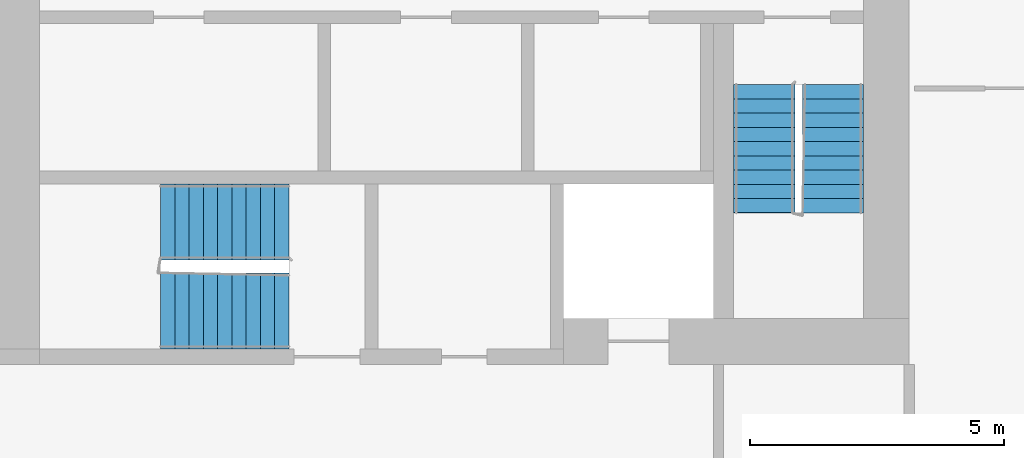
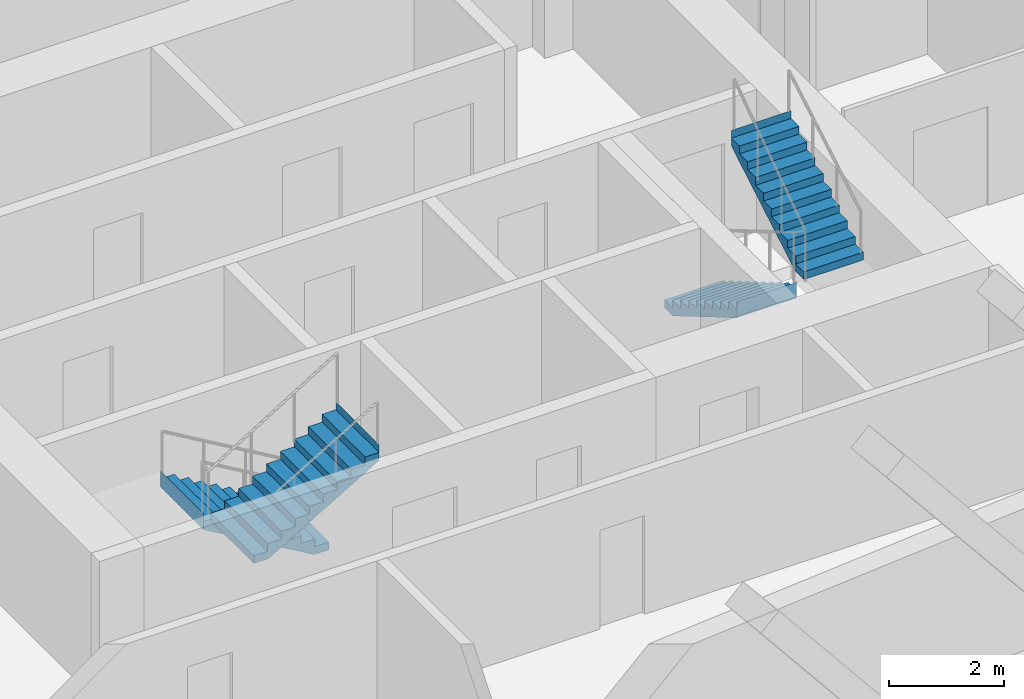
# One storey, part 8 of 12: 4 stair flights, 2 elements without a shape of their own.
"""IFC4 building model written with IfcOpenShell, lengths in metres."""

from ifc_helpers import new_model, si_unit, direction, frame, origin, place, context, subcontext, project, spatial, faceted_brep, material, type_object, element, aggregate, save


model = new_model("IFC4")

# Units and contexts
model_context = context("Model", 3, precision=1e-05, world=origin(), true_north=direction((0.0, 1.0)))
body_context = subcontext(model_context, "Body", "Model", "MODEL_VIEW")
ifc_project = project(units=[si_unit("LENGTHUNIT", "METRE"), si_unit("AREAUNIT", "SQUARE_METRE"), si_unit("VOLUMEUNIT", "CUBIC_METRE"), si_unit("PLANEANGLEUNIT", "RADIAN"), si_unit("MASSUNIT", "GRAM", prefix="KILO")], contexts=[model_context])

# Site, building, storey
site_placement = place(None, origin())
site = spatial("IfcSite", under=ifc_project, at=site_placement, CompositionType="ELEMENT")
building_placement = place(site_placement, origin())
building = spatial("IfcBuilding", under=site, at=building_placement, Name="Kajstack Hotel Tower", CompositionType="ELEMENT")
storey_placement = place(building_placement, frame((0.0, 0.0, 288.300048828125)))
storey = spatial("IfcBuildingStorey", under=building, at=storey_placement, Name="L72", CompositionType="ELEMENT", Elevation=288.300048828125)

# Stair, stair flights
ifc_material = material(Name="Concrete C40/50", Category="concrete")
stair_type_1 = type_object("IfcStairType", Name="Exit stair 1200", PredefinedType="HALF_TURN_STAIR", material=ifc_material)
stair_1_placement = place(storey_placement, origin())
stair_1 = element("IfcStair", 1, at=stair_1_placement, inside=storey, type_object=stair_type_1, Name="L72 stair W2", PredefinedType="HALF_TURN_STAIR")
stair_flight_type_1 = type_object("IfcStairFlightType", Name="Exit stair flight 1200", PredefinedType="STRAIGHT", material=ifc_material)
stair_flight_1_placement = place(storey_placement, frame((-16.35009765625, -10.0, 0.0), z_axis=(0.0, 0.0, 1.0), x_axis=(0.0, -1.0, 0.0)))
stair_flight_1 = element("IfcStairFlight", 2, at=stair_flight_1_placement, type_object=stair_flight_type_1, Name="W2 flight 1", NumberOfRisers=10, NumberOfTreads=9, PredefinedType="STRAIGHT", RiserHeight=0.165, TreadLength=0.28, context=body_context, shape_type="Brep", body=[
    faceted_brep([(0.295654296875, -0.60009765625, 0.0), (2.5205078125, -0.60009765625, 1.31103515625), (2.5205078125, -0.60009765625, 1.64990234375), (2.52001953125, -0.60009765625, 1.64990234375), (2.52001953125, -0.60009765625, 1.485107421875), (2.239990234375, -0.60009765625, 1.485107421875), (2.239990234375, -0.60009765625, 1.320068359375), (1.9599609375, -0.60009765625, 1.320068359375), (1.9599609375, -0.60009765625, 1.155029296875), (1.679931640625, -0.60009765625, 1.155029296875), (1.679931640625, -0.60009765625, 0.989990234375), (1.39990234375, -0.60009765625, 0.989990234375), (1.39990234375, -0.60009765625, 0.824951171875), (1.1201171875, -0.60009765625, 0.824951171875), (1.1201171875, -0.60009765625, 0.659912109375), (0.840087890625, -0.60009765625, 0.659912109375), (0.840087890625, -0.60009765625, 0.4951171875), (0.56005859375, -0.60009765625, 0.4951171875), (0.56005859375, -0.60009765625, 0.330078125), (0.280029296875, -0.60009765625, 0.330078125), (0.280029296875, -0.60009765625, 0.1650390625), (-0.00048828125, -0.60009765625, 0.1650390625), (-0.00048828125, -0.60009765625, 0.0), (-0.00048828125, 0.60009765625, 0.0), (-0.00048828125, 0.60009765625, 0.1650390625), (0.280029296875, 0.60009765625, 0.1650390625), (0.280029296875, 0.60009765625, 0.330078125), (0.56005859375, 0.60009765625, 0.330078125), (0.56005859375, 0.60009765625, 0.4951171875), (0.840087890625, 0.60009765625, 0.4951171875), (0.840087890625, 0.60009765625, 0.659912109375), (1.1201171875, 0.60009765625, 0.659912109375), (1.1201171875, 0.60009765625, 0.824951171875), (1.39990234375, 0.60009765625, 0.824951171875), (1.39990234375, 0.60009765625, 0.989990234375), (1.679931640625, 0.60009765625, 0.989990234375), (1.679931640625, 0.60009765625, 1.155029296875), (1.9599609375, 0.60009765625, 1.155029296875), (1.9599609375, 0.60009765625, 1.320068359375), (2.239990234375, 0.60009765625, 1.320068359375), (2.239990234375, 0.60009765625, 1.485107421875), (2.52001953125, 0.60009765625, 1.485107421875), (2.52001953125, 0.60009765625, 1.64990234375), (2.5205078125, 0.60009765625, 1.64990234375), (2.5205078125, 0.60009765625, 1.31103515625), (0.295654296875, 0.60009765625, 0.0), (-0.00048828125, -0.300048828125, 0.1650390625), (-0.00048828125, 0.0, 0.1650390625), (-0.00048828125, 0.300048828125, 0.1650390625), (-0.00048828125, 0.300048828125, 0.0), (-0.00048828125, 0.0, 0.0), (-0.00048828125, -0.300048828125, 0.0), (0.280029296875, -0.300048828125, 0.1650390625), (0.280029296875, 0.0, 0.1650390625), (0.280029296875, 0.300048828125, 0.1650390625), (0.280029296875, -0.300048828125, 0.330078125), (0.280029296875, 0.0, 0.330078125), (0.280029296875, 0.300048828125, 0.330078125), (0.56005859375, -0.300048828125, 0.330078125), (0.56005859375, 0.0, 0.330078125), (0.56005859375, 0.300048828125, 0.330078125), (0.56005859375, -0.300048828125, 0.4951171875), (0.56005859375, 0.0, 0.4951171875), (0.56005859375, 0.300048828125, 0.4951171875), (0.840087890625, -0.300048828125, 0.4951171875), (0.840087890625, 0.0, 0.4951171875), (0.840087890625, 0.300048828125, 0.4951171875), (0.840087890625, -0.300048828125, 0.659912109375), (0.840087890625, 0.0, 0.659912109375), (0.840087890625, 0.300048828125, 0.659912109375), (1.1201171875, -0.300048828125, 0.659912109375), (1.1201171875, 0.0, 0.659912109375), (1.1201171875, 0.300048828125, 0.659912109375), (1.1201171875, -0.300048828125, 0.824951171875), (1.1201171875, 0.0, 0.824951171875), (1.1201171875, 0.300048828125, 0.824951171875), (1.39990234375, -0.300048828125, 0.824951171875), (1.39990234375, 0.0, 0.824951171875), (1.39990234375, 0.300048828125, 0.824951171875), (1.39990234375, -0.300048828125, 0.989990234375), (1.39990234375, 0.0, 0.989990234375), (1.39990234375, 0.300048828125, 0.989990234375), (1.679931640625, -0.300048828125, 0.989990234375), (1.679931640625, 0.0, 0.989990234375), (1.679931640625, 0.300048828125, 0.989990234375), (1.679931640625, -0.300048828125, 1.155029296875), (1.679931640625, 0.0, 1.155029296875), (1.679931640625, 0.300048828125, 1.155029296875), (1.9599609375, -0.300048828125, 1.155029296875), (1.9599609375, 0.0, 1.155029296875), (1.9599609375, 0.300048828125, 1.155029296875), (1.9599609375, -0.300048828125, 1.320068359375), (1.9599609375, 0.0, 1.320068359375), (1.9599609375, 0.300048828125, 1.320068359375), (2.239990234375, -0.300048828125, 1.320068359375), (2.239990234375, 0.0, 1.320068359375), (2.239990234375, 0.300048828125, 1.320068359375), (2.239990234375, -0.300048828125, 1.485107421875), (2.239990234375, 0.0, 1.485107421875), (2.239990234375, 0.300048828125, 1.485107421875), (2.52001953125, -0.300048828125, 1.485107421875), (2.52001953125, 0.0, 1.485107421875), (2.52001953125, 0.300048828125, 1.485107421875), (2.52001953125, -0.300048828125, 1.64990234375), (2.52001953125, 0.0, 1.64990234375), (2.52001953125, 0.300048828125, 1.64990234375), (2.5205078125, -0.300048828125, 1.64990234375), (2.5205078125, 0.0, 1.64990234375), (2.5205078125, 0.300048828125, 1.64990234375), (2.5205078125, -0.300048828125, 1.31103515625), (2.5205078125, 0.0, 1.31103515625), (2.5205078125, 0.300048828125, 1.31103515625), (0.295654296875, -0.300048828125, 0.0), (0.295654296875, 0.0, 0.0), (0.295654296875, 0.300048828125, 0.0)], [[[0, 1, 2, 3, 4, 5, 6, 7, 8, 9, 10, 11, 12, 13, 14, 15, 16, 17, 18, 19, 20, 21, 22]], [[23, 24, 25, 26, 27, 28, 29, 30, 31, 32, 33, 34, 35, 36, 37, 38, 39, 40, 41, 42, 43, 44, 45]], [[21, 46, 47, 48, 24, 23, 49, 50, 51, 22]], [[20, 52, 53, 54, 25, 24, 48, 47, 46, 21]], [[19, 55, 56, 57, 26, 25, 54, 53, 52, 20]], [[18, 58, 59, 60, 27, 26, 57, 56, 55, 19]], [[17, 61, 62, 63, 28, 27, 60, 59, 58, 18]], [[16, 64, 65, 66, 29, 28, 63, 62, 61, 17]], [[15, 67, 68, 69, 30, 29, 66, 65, 64, 16]], [[14, 70, 71, 72, 31, 30, 69, 68, 67, 15]], [[13, 73, 74, 75, 32, 31, 72, 71, 70, 14]], [[12, 76, 77, 78, 33, 32, 75, 74, 73, 13]], [[11, 79, 80, 81, 34, 33, 78, 77, 76, 12]], [[10, 82, 83, 84, 35, 34, 81, 80, 79, 11]], [[9, 85, 86, 87, 36, 35, 84, 83, 82, 10]], [[8, 88, 89, 90, 37, 36, 87, 86, 85, 9]], [[7, 91, 92, 93, 38, 37, 90, 89, 88, 8]], [[6, 94, 95, 96, 39, 38, 93, 92, 91, 7]], [[5, 97, 98, 99, 40, 39, 96, 95, 94, 6]], [[4, 100, 101, 102, 41, 40, 99, 98, 97, 5]], [[3, 103, 104, 105, 42, 41, 102, 101, 100, 4]], [[2, 106, 107, 108, 43, 42, 105, 104, 103, 3]], [[1, 109, 110, 111, 44, 43, 108, 107, 106, 2]], [[0, 112, 113, 114, 45, 44, 111, 110, 109, 1]], [[22, 51, 50, 49, 23, 45, 114, 113, 112, 0]]]),
])
stair_flight_2_placement = place(storey_placement, frame((-15.0, -12.52001953125, 1.64990234375), z_axis=(0.0, 0.0, 1.0), x_axis=(0.0, 1.0, 0.0)))
stair_flight_2 = element("IfcStairFlight", 3, at=stair_flight_2_placement, type_object=stair_flight_type_1, Name="W2 flight 2", NumberOfRisers=10, NumberOfTreads=9, PredefinedType="STRAIGHT", RiserHeight=0.165, TreadLength=0.28, context=body_context, shape_type="Brep", body=[
    faceted_brep([(0.295654296875, -0.60009765625, 0.0), (2.5205078125, -0.60009765625, 1.31103515625), (2.5205078125, -0.60009765625, 1.64990234375), (2.52001953125, -0.60009765625, 1.64990234375), (2.52001953125, -0.60009765625, 1.485107421875), (2.239990234375, -0.60009765625, 1.485107421875), (2.239990234375, -0.60009765625, 1.320068359375), (1.9599609375, -0.60009765625, 1.320068359375), (1.9599609375, -0.60009765625, 1.155029296875), (1.679931640625, -0.60009765625, 1.155029296875), (1.679931640625, -0.60009765625, 0.989990234375), (1.39990234375, -0.60009765625, 0.989990234375), (1.39990234375, -0.60009765625, 0.824951171875), (1.1201171875, -0.60009765625, 0.824951171875), (1.1201171875, -0.60009765625, 0.659912109375), (0.840087890625, -0.60009765625, 0.659912109375), (0.840087890625, -0.60009765625, 0.4951171875), (0.56005859375, -0.60009765625, 0.4951171875), (0.56005859375, -0.60009765625, 0.330078125), (0.280029296875, -0.60009765625, 0.330078125), (0.280029296875, -0.60009765625, 0.1650390625), (-0.00048828125, -0.60009765625, 0.1650390625), (-0.00048828125, -0.60009765625, 0.0), (-0.00048828125, 0.60009765625, 0.0), (-0.00048828125, 0.60009765625, 0.1650390625), (0.280029296875, 0.60009765625, 0.1650390625), (0.280029296875, 0.60009765625, 0.330078125), (0.56005859375, 0.60009765625, 0.330078125), (0.56005859375, 0.60009765625, 0.4951171875), (0.840087890625, 0.60009765625, 0.4951171875), (0.840087890625, 0.60009765625, 0.659912109375), (1.1201171875, 0.60009765625, 0.659912109375), (1.1201171875, 0.60009765625, 0.824951171875), (1.39990234375, 0.60009765625, 0.824951171875), (1.39990234375, 0.60009765625, 0.989990234375), (1.679931640625, 0.60009765625, 0.989990234375), (1.679931640625, 0.60009765625, 1.155029296875), (1.9599609375, 0.60009765625, 1.155029296875), (1.9599609375, 0.60009765625, 1.320068359375), (2.239990234375, 0.60009765625, 1.320068359375), (2.239990234375, 0.60009765625, 1.485107421875), (2.52001953125, 0.60009765625, 1.485107421875), (2.52001953125, 0.60009765625, 1.64990234375), (2.5205078125, 0.60009765625, 1.64990234375), (2.5205078125, 0.60009765625, 1.31103515625), (0.295654296875, 0.60009765625, 0.0), (-0.00048828125, -0.300048828125, 0.1650390625), (-0.00048828125, 0.0, 0.1650390625), (-0.00048828125, 0.300048828125, 0.1650390625), (-0.00048828125, 0.300048828125, 0.0), (-0.00048828125, 0.0, 0.0), (-0.00048828125, -0.300048828125, 0.0), (0.280029296875, -0.300048828125, 0.1650390625), (0.280029296875, 0.0, 0.1650390625), (0.280029296875, 0.300048828125, 0.1650390625), (0.280029296875, -0.300048828125, 0.330078125), (0.280029296875, 0.0, 0.330078125), (0.280029296875, 0.300048828125, 0.330078125), (0.56005859375, -0.300048828125, 0.330078125), (0.56005859375, 0.0, 0.330078125), (0.56005859375, 0.300048828125, 0.330078125), (0.56005859375, -0.300048828125, 0.4951171875), (0.56005859375, 0.0, 0.4951171875), (0.56005859375, 0.300048828125, 0.4951171875), (0.840087890625, -0.300048828125, 0.4951171875), (0.840087890625, 0.0, 0.4951171875), (0.840087890625, 0.300048828125, 0.4951171875), (0.840087890625, -0.300048828125, 0.659912109375), (0.840087890625, 0.0, 0.659912109375), (0.840087890625, 0.300048828125, 0.659912109375), (1.1201171875, -0.300048828125, 0.659912109375), (1.1201171875, 0.0, 0.659912109375), (1.1201171875, 0.300048828125, 0.659912109375), (1.1201171875, -0.300048828125, 0.824951171875), (1.1201171875, 0.0, 0.824951171875), (1.1201171875, 0.300048828125, 0.824951171875), (1.39990234375, -0.300048828125, 0.824951171875), (1.39990234375, 0.0, 0.824951171875), (1.39990234375, 0.300048828125, 0.824951171875), (1.39990234375, -0.300048828125, 0.989990234375), (1.39990234375, 0.0, 0.989990234375), (1.39990234375, 0.300048828125, 0.989990234375), (1.679931640625, -0.300048828125, 0.989990234375), (1.679931640625, 0.0, 0.989990234375), (1.679931640625, 0.300048828125, 0.989990234375), (1.679931640625, -0.300048828125, 1.155029296875), (1.679931640625, 0.0, 1.155029296875), (1.679931640625, 0.300048828125, 1.155029296875), (1.9599609375, -0.300048828125, 1.155029296875), (1.9599609375, 0.0, 1.155029296875), (1.9599609375, 0.300048828125, 1.155029296875), (1.9599609375, -0.300048828125, 1.320068359375), (1.9599609375, 0.0, 1.320068359375), (1.9599609375, 0.300048828125, 1.320068359375), (2.239990234375, -0.300048828125, 1.320068359375), (2.239990234375, 0.0, 1.320068359375), (2.239990234375, 0.300048828125, 1.320068359375), (2.239990234375, -0.300048828125, 1.485107421875), (2.239990234375, 0.0, 1.485107421875), (2.239990234375, 0.300048828125, 1.485107421875), (2.52001953125, -0.300048828125, 1.485107421875), (2.52001953125, 0.0, 1.485107421875), (2.52001953125, 0.300048828125, 1.485107421875), (2.52001953125, -0.300048828125, 1.64990234375), (2.52001953125, 0.0, 1.64990234375), (2.52001953125, 0.300048828125, 1.64990234375), (2.5205078125, -0.300048828125, 1.64990234375), (2.5205078125, 0.0, 1.64990234375), (2.5205078125, 0.300048828125, 1.64990234375), (2.5205078125, -0.300048828125, 1.31103515625), (2.5205078125, 0.0, 1.31103515625), (2.5205078125, 0.300048828125, 1.31103515625), (0.295654296875, -0.300048828125, 0.0), (0.295654296875, 0.0, 0.0), (0.295654296875, 0.300048828125, 0.0)], [[[0, 1, 2, 3, 4, 5, 6, 7, 8, 9, 10, 11, 12, 13, 14, 15, 16, 17, 18, 19, 20, 21, 22]], [[23, 24, 25, 26, 27, 28, 29, 30, 31, 32, 33, 34, 35, 36, 37, 38, 39, 40, 41, 42, 43, 44, 45]], [[21, 46, 47, 48, 24, 23, 49, 50, 51, 22]], [[20, 52, 53, 54, 25, 24, 48, 47, 46, 21]], [[19, 55, 56, 57, 26, 25, 54, 53, 52, 20]], [[18, 58, 59, 60, 27, 26, 57, 56, 55, 19]], [[17, 61, 62, 63, 28, 27, 60, 59, 58, 18]], [[16, 64, 65, 66, 29, 28, 63, 62, 61, 17]], [[15, 67, 68, 69, 30, 29, 66, 65, 64, 16]], [[14, 70, 71, 72, 31, 30, 69, 68, 67, 15]], [[13, 73, 74, 75, 32, 31, 72, 71, 70, 14]], [[12, 76, 77, 78, 33, 32, 75, 74, 73, 13]], [[11, 79, 80, 81, 34, 33, 78, 77, 76, 12]], [[10, 82, 83, 84, 35, 34, 81, 80, 79, 11]], [[9, 85, 86, 87, 36, 35, 84, 83, 82, 10]], [[8, 88, 89, 90, 37, 36, 87, 86, 85, 9]], [[7, 91, 92, 93, 38, 37, 90, 89, 88, 8]], [[6, 94, 95, 96, 39, 38, 93, 92, 91, 7]], [[5, 97, 98, 99, 40, 39, 96, 95, 94, 6]], [[4, 100, 101, 102, 41, 40, 99, 98, 97, 5]], [[3, 103, 104, 105, 42, 41, 102, 101, 100, 4]], [[2, 106, 107, 108, 43, 42, 105, 104, 103, 3]], [[1, 109, 110, 111, 44, 43, 108, 107, 106, 2]], [[0, 112, 113, 114, 45, 44, 111, 110, 109, 1]], [[22, 51, 50, 49, 23, 45, 114, 113, 112, 0]]]),
])
aggregate(stair_1, [stair_flight_1, stair_flight_2])

stair_type_2 = type_object("IfcStairType", Name="Exit stair 1500", PredefinedType="HALF_TURN_STAIR", material=ifc_material)
stair_2_placement = place(storey_placement, origin())
stair_2 = element("IfcStair", 4, at=stair_2_placement, inside=storey, type_object=stair_type_2, Name="L72 stair W3", PredefinedType="HALF_TURN_STAIR")
stair_flight_type_2 = type_object("IfcStairFlightType", Name="Exit stair flight 1500", PredefinedType="STRAIGHT", material=ifc_material)
stair_flight_3_placement = place(storey_placement, frame((-25.699951171875, -12.699951171875, 0.0), z_axis=(0.0, 0.0, 1.0), x_axis=(-1.0, 0.0, 0.0)))
stair_flight_3 = element("IfcStairFlight", 5, at=stair_flight_3_placement, type_object=stair_flight_type_2, Name="W3 flight 1", NumberOfRisers=10, NumberOfTreads=9, PredefinedType="STRAIGHT", RiserHeight=0.165, TreadLength=0.28, context=body_context, shape_type="Brep", body=[
    faceted_brep([(0.295654296875, -0.75, 0.0), (2.5205078125, -0.75, 1.31103515625), (2.5205078125, -0.75, 1.64990234375), (2.52001953125, -0.75, 1.64990234375), (2.52001953125, -0.75, 1.485107421875), (2.239990234375, -0.75, 1.485107421875), (2.239990234375, -0.75, 1.320068359375), (1.9599609375, -0.75, 1.320068359375), (1.9599609375, -0.75, 1.155029296875), (1.679931640625, -0.75, 1.155029296875), (1.679931640625, -0.75, 0.989990234375), (1.39990234375, -0.75, 0.989990234375), (1.39990234375, -0.75, 0.824951171875), (1.1201171875, -0.75, 0.824951171875), (1.1201171875, -0.75, 0.659912109375), (0.840087890625, -0.75, 0.659912109375), (0.840087890625, -0.75, 0.4951171875), (0.56005859375, -0.75, 0.4951171875), (0.56005859375, -0.75, 0.330078125), (0.280029296875, -0.75, 0.330078125), (0.280029296875, -0.75, 0.1650390625), (-0.00048828125, -0.75, 0.1650390625), (-0.00048828125, -0.75, 0.0), (-0.00048828125, 0.75, 0.0), (-0.00048828125, 0.75, 0.1650390625), (0.280029296875, 0.75, 0.1650390625), (0.280029296875, 0.75, 0.330078125), (0.56005859375, 0.75, 0.330078125), (0.56005859375, 0.75, 0.4951171875), (0.840087890625, 0.75, 0.4951171875), (0.840087890625, 0.75, 0.659912109375), (1.1201171875, 0.75, 0.659912109375), (1.1201171875, 0.75, 0.824951171875), (1.39990234375, 0.75, 0.824951171875), (1.39990234375, 0.75, 0.989990234375), (1.679931640625, 0.75, 0.989990234375), (1.679931640625, 0.75, 1.155029296875), (1.9599609375, 0.75, 1.155029296875), (1.9599609375, 0.75, 1.320068359375), (2.239990234375, 0.75, 1.320068359375), (2.239990234375, 0.75, 1.485107421875), (2.52001953125, 0.75, 1.485107421875), (2.52001953125, 0.75, 1.64990234375), (2.5205078125, 0.75, 1.64990234375), (2.5205078125, 0.75, 1.31103515625), (0.295654296875, 0.75, 0.0), (-0.00048828125, -0.375, 0.1650390625), (-0.00048828125, 0.0, 0.1650390625), (-0.00048828125, 0.375, 0.1650390625), (-0.00048828125, 0.375, 0.0), (-0.00048828125, 0.0, 0.0), (-0.00048828125, -0.375, 0.0), (0.280029296875, -0.375, 0.1650390625), (0.280029296875, 0.0, 0.1650390625), (0.280029296875, 0.375, 0.1650390625), (0.280029296875, -0.375, 0.330078125), (0.280029296875, 0.0, 0.330078125), (0.280029296875, 0.375, 0.330078125), (0.56005859375, -0.375, 0.330078125), (0.56005859375, 0.0, 0.330078125), (0.56005859375, 0.375, 0.330078125), (0.56005859375, -0.375, 0.4951171875), (0.56005859375, 0.0, 0.4951171875), (0.56005859375, 0.375, 0.4951171875), (0.840087890625, -0.375, 0.4951171875), (0.840087890625, 0.0, 0.4951171875), (0.840087890625, 0.375, 0.4951171875), (0.840087890625, -0.375, 0.659912109375), (0.840087890625, 0.0, 0.659912109375), (0.840087890625, 0.375, 0.659912109375), (1.1201171875, -0.375, 0.659912109375), (1.1201171875, 0.0, 0.659912109375), (1.1201171875, 0.375, 0.659912109375), (1.1201171875, -0.375, 0.824951171875), (1.1201171875, 0.0, 0.824951171875), (1.1201171875, 0.375, 0.824951171875), (1.39990234375, -0.375, 0.824951171875), (1.39990234375, 0.0, 0.824951171875), (1.39990234375, 0.375, 0.824951171875), (1.39990234375, -0.375, 0.989990234375), (1.39990234375, 0.0, 0.989990234375), (1.39990234375, 0.375, 0.989990234375), (1.679931640625, -0.375, 0.989990234375), (1.679931640625, 0.0, 0.989990234375), (1.679931640625, 0.375, 0.989990234375), (1.679931640625, -0.375, 1.155029296875), (1.679931640625, 0.0, 1.155029296875), (1.679931640625, 0.375, 1.155029296875), (1.9599609375, -0.375, 1.155029296875), (1.9599609375, 0.0, 1.155029296875), (1.9599609375, 0.375, 1.155029296875), (1.9599609375, -0.375, 1.320068359375), (1.9599609375, 0.0, 1.320068359375), (1.9599609375, 0.375, 1.320068359375), (2.239990234375, -0.375, 1.320068359375), (2.239990234375, 0.0, 1.320068359375), (2.239990234375, 0.375, 1.320068359375), (2.239990234375, -0.375, 1.485107421875), (2.239990234375, 0.0, 1.485107421875), (2.239990234375, 0.375, 1.485107421875), (2.52001953125, -0.375, 1.485107421875), (2.52001953125, 0.0, 1.485107421875), (2.52001953125, 0.375, 1.485107421875), (2.52001953125, -0.375, 1.64990234375), (2.52001953125, 0.0, 1.64990234375), (2.52001953125, 0.375, 1.64990234375), (2.5205078125, -0.375, 1.64990234375), (2.5205078125, 0.0, 1.64990234375), (2.5205078125, 0.375, 1.64990234375), (2.5205078125, -0.375, 1.31103515625), (2.5205078125, 0.0, 1.31103515625), (2.5205078125, 0.375, 1.31103515625), (0.295654296875, -0.375, 0.0), (0.295654296875, 0.0, 0.0), (0.295654296875, 0.375, 0.0)], [[[0, 1, 2, 3, 4, 5, 6, 7, 8, 9, 10, 11, 12, 13, 14, 15, 16, 17, 18, 19, 20, 21, 22]], [[23, 24, 25, 26, 27, 28, 29, 30, 31, 32, 33, 34, 35, 36, 37, 38, 39, 40, 41, 42, 43, 44, 45]], [[21, 46, 47, 48, 24, 23, 49, 50, 51, 22]], [[20, 52, 53, 54, 25, 24, 48, 47, 46, 21]], [[19, 55, 56, 57, 26, 25, 54, 53, 52, 20]], [[18, 58, 59, 60, 27, 26, 57, 56, 55, 19]], [[17, 61, 62, 63, 28, 27, 60, 59, 58, 18]], [[16, 64, 65, 66, 29, 28, 63, 62, 61, 17]], [[15, 67, 68, 69, 30, 29, 66, 65, 64, 16]], [[14, 70, 71, 72, 31, 30, 69, 68, 67, 15]], [[13, 73, 74, 75, 32, 31, 72, 71, 70, 14]], [[12, 76, 77, 78, 33, 32, 75, 74, 73, 13]], [[11, 79, 80, 81, 34, 33, 78, 77, 76, 12]], [[10, 82, 83, 84, 35, 34, 81, 80, 79, 11]], [[9, 85, 86, 87, 36, 35, 84, 83, 82, 10]], [[8, 88, 89, 90, 37, 36, 87, 86, 85, 9]], [[7, 91, 92, 93, 38, 37, 90, 89, 88, 8]], [[6, 94, 95, 96, 39, 38, 93, 92, 91, 7]], [[5, 97, 98, 99, 40, 39, 96, 95, 94, 6]], [[4, 100, 101, 102, 41, 40, 99, 98, 97, 5]], [[3, 103, 104, 105, 42, 41, 102, 101, 100, 4]], [[2, 106, 107, 108, 43, 42, 105, 104, 103, 3]], [[1, 109, 110, 111, 44, 43, 108, 107, 106, 2]], [[0, 112, 113, 114, 45, 44, 111, 110, 109, 1]], [[22, 51, 50, 49, 23, 45, 114, 113, 112, 0]]]),
])
stair_flight_4_placement = place(storey_placement, frame((-28.219970703125, -14.449951171875, 1.64990234375), z_axis=(0.0, 0.0, 1.0), x_axis=(1.0, 0.0, 0.0)))
stair_flight_4 = element("IfcStairFlight", 6, at=stair_flight_4_placement, type_object=stair_flight_type_2, Name="W3 flight 2", NumberOfRisers=10, NumberOfTreads=9, PredefinedType="STRAIGHT", RiserHeight=0.165, TreadLength=0.28, context=body_context, shape_type="Brep", body=[
    faceted_brep([(0.295654296875, -0.75, 0.0), (2.5205078125, -0.75, 1.31103515625), (2.5205078125, -0.75, 1.64990234375), (2.52001953125, -0.75, 1.64990234375), (2.52001953125, -0.75, 1.485107421875), (2.239990234375, -0.75, 1.485107421875), (2.239990234375, -0.75, 1.320068359375), (1.9599609375, -0.75, 1.320068359375), (1.9599609375, -0.75, 1.155029296875), (1.679931640625, -0.75, 1.155029296875), (1.679931640625, -0.75, 0.989990234375), (1.39990234375, -0.75, 0.989990234375), (1.39990234375, -0.75, 0.824951171875), (1.1201171875, -0.75, 0.824951171875), (1.1201171875, -0.75, 0.659912109375), (0.840087890625, -0.75, 0.659912109375), (0.840087890625, -0.75, 0.4951171875), (0.56005859375, -0.75, 0.4951171875), (0.56005859375, -0.75, 0.330078125), (0.280029296875, -0.75, 0.330078125), (0.280029296875, -0.75, 0.1650390625), (-0.00048828125, -0.75, 0.1650390625), (-0.00048828125, -0.75, 0.0), (-0.00048828125, 0.75, 0.0), (-0.00048828125, 0.75, 0.1650390625), (0.280029296875, 0.75, 0.1650390625), (0.280029296875, 0.75, 0.330078125), (0.56005859375, 0.75, 0.330078125), (0.56005859375, 0.75, 0.4951171875), (0.840087890625, 0.75, 0.4951171875), (0.840087890625, 0.75, 0.659912109375), (1.1201171875, 0.75, 0.659912109375), (1.1201171875, 0.75, 0.824951171875), (1.39990234375, 0.75, 0.824951171875), (1.39990234375, 0.75, 0.989990234375), (1.679931640625, 0.75, 0.989990234375), (1.679931640625, 0.75, 1.155029296875), (1.9599609375, 0.75, 1.155029296875), (1.9599609375, 0.75, 1.320068359375), (2.239990234375, 0.75, 1.320068359375), (2.239990234375, 0.75, 1.485107421875), (2.52001953125, 0.75, 1.485107421875), (2.52001953125, 0.75, 1.64990234375), (2.5205078125, 0.75, 1.64990234375), (2.5205078125, 0.75, 1.31103515625), (0.295654296875, 0.75, 0.0), (-0.00048828125, -0.375, 0.1650390625), (-0.00048828125, 0.0, 0.1650390625), (-0.00048828125, 0.375, 0.1650390625), (-0.00048828125, 0.375, 0.0), (-0.00048828125, 0.0, 0.0), (-0.00048828125, -0.375, 0.0), (0.280029296875, -0.375, 0.1650390625), (0.280029296875, 0.0, 0.1650390625), (0.280029296875, 0.375, 0.1650390625), (0.280029296875, -0.375, 0.330078125), (0.280029296875, 0.0, 0.330078125), (0.280029296875, 0.375, 0.330078125), (0.56005859375, -0.375, 0.330078125), (0.56005859375, 0.0, 0.330078125), (0.56005859375, 0.375, 0.330078125), (0.56005859375, -0.375, 0.4951171875), (0.56005859375, 0.0, 0.4951171875), (0.56005859375, 0.375, 0.4951171875), (0.840087890625, -0.375, 0.4951171875), (0.840087890625, 0.0, 0.4951171875), (0.840087890625, 0.375, 0.4951171875), (0.840087890625, -0.375, 0.659912109375), (0.840087890625, 0.0, 0.659912109375), (0.840087890625, 0.375, 0.659912109375), (1.1201171875, -0.375, 0.659912109375), (1.1201171875, 0.0, 0.659912109375), (1.1201171875, 0.375, 0.659912109375), (1.1201171875, -0.375, 0.824951171875), (1.1201171875, 0.0, 0.824951171875), (1.1201171875, 0.375, 0.824951171875), (1.39990234375, -0.375, 0.824951171875), (1.39990234375, 0.0, 0.824951171875), (1.39990234375, 0.375, 0.824951171875), (1.39990234375, -0.375, 0.989990234375), (1.39990234375, 0.0, 0.989990234375), (1.39990234375, 0.375, 0.989990234375), (1.679931640625, -0.375, 0.989990234375), (1.679931640625, 0.0, 0.989990234375), (1.679931640625, 0.375, 0.989990234375), (1.679931640625, -0.375, 1.155029296875), (1.679931640625, 0.0, 1.155029296875), (1.679931640625, 0.375, 1.155029296875), (1.9599609375, -0.375, 1.155029296875), (1.9599609375, 0.0, 1.155029296875), (1.9599609375, 0.375, 1.155029296875), (1.9599609375, -0.375, 1.320068359375), (1.9599609375, 0.0, 1.320068359375), (1.9599609375, 0.375, 1.320068359375), (2.239990234375, -0.375, 1.320068359375), (2.239990234375, 0.0, 1.320068359375), (2.239990234375, 0.375, 1.320068359375), (2.239990234375, -0.375, 1.485107421875), (2.239990234375, 0.0, 1.485107421875), (2.239990234375, 0.375, 1.485107421875), (2.52001953125, -0.375, 1.485107421875), (2.52001953125, 0.0, 1.485107421875), (2.52001953125, 0.375, 1.485107421875), (2.52001953125, -0.375, 1.64990234375), (2.52001953125, 0.0, 1.64990234375), (2.52001953125, 0.375, 1.64990234375), (2.5205078125, -0.375, 1.64990234375), (2.5205078125, 0.0, 1.64990234375), (2.5205078125, 0.375, 1.64990234375), (2.5205078125, -0.375, 1.31103515625), (2.5205078125, 0.0, 1.31103515625), (2.5205078125, 0.375, 1.31103515625), (0.295654296875, -0.375, 0.0), (0.295654296875, 0.0, 0.0), (0.295654296875, 0.375, 0.0)], [[[0, 1, 2, 3, 4, 5, 6, 7, 8, 9, 10, 11, 12, 13, 14, 15, 16, 17, 18, 19, 20, 21, 22]], [[23, 24, 25, 26, 27, 28, 29, 30, 31, 32, 33, 34, 35, 36, 37, 38, 39, 40, 41, 42, 43, 44, 45]], [[21, 46, 47, 48, 24, 23, 49, 50, 51, 22]], [[20, 52, 53, 54, 25, 24, 48, 47, 46, 21]], [[19, 55, 56, 57, 26, 25, 54, 53, 52, 20]], [[18, 58, 59, 60, 27, 26, 57, 56, 55, 19]], [[17, 61, 62, 63, 28, 27, 60, 59, 58, 18]], [[16, 64, 65, 66, 29, 28, 63, 62, 61, 17]], [[15, 67, 68, 69, 30, 29, 66, 65, 64, 16]], [[14, 70, 71, 72, 31, 30, 69, 68, 67, 15]], [[13, 73, 74, 75, 32, 31, 72, 71, 70, 14]], [[12, 76, 77, 78, 33, 32, 75, 74, 73, 13]], [[11, 79, 80, 81, 34, 33, 78, 77, 76, 12]], [[10, 82, 83, 84, 35, 34, 81, 80, 79, 11]], [[9, 85, 86, 87, 36, 35, 84, 83, 82, 10]], [[8, 88, 89, 90, 37, 36, 87, 86, 85, 9]], [[7, 91, 92, 93, 38, 37, 90, 89, 88, 8]], [[6, 94, 95, 96, 39, 38, 93, 92, 91, 7]], [[5, 97, 98, 99, 40, 39, 96, 95, 94, 6]], [[4, 100, 101, 102, 41, 40, 99, 98, 97, 5]], [[3, 103, 104, 105, 42, 41, 102, 101, 100, 4]], [[2, 106, 107, 108, 43, 42, 105, 104, 103, 3]], [[1, 109, 110, 111, 44, 43, 108, 107, 106, 2]], [[0, 112, 113, 114, 45, 44, 111, 110, 109, 1]], [[22, 51, 50, 49, 23, 45, 114, 113, 112, 0]]]),
])
aggregate(stair_2, [stair_flight_3, stair_flight_4])

save(model, "model.ifc")
